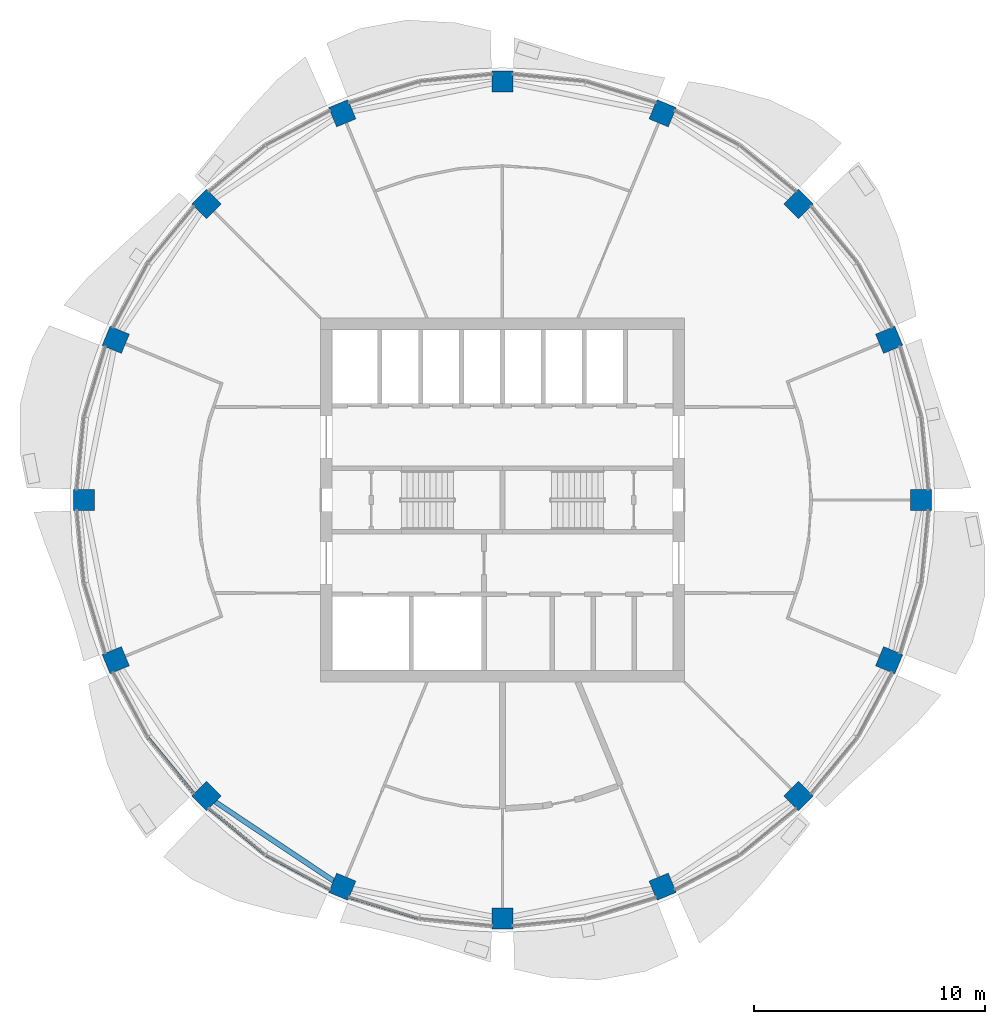
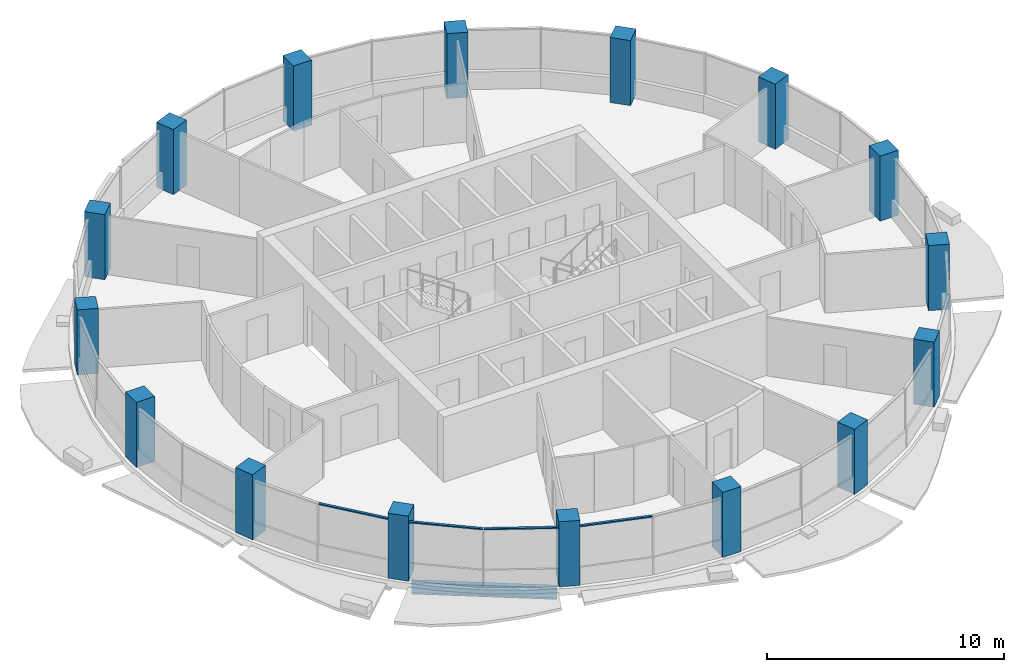
# One storey, part 1 of 15: 16 columns, 4 members, 1 beam, 3 elements without a shape of their own.
"""IFC4 building model written with IfcOpenShell, lengths in metres."""

from ifc_helpers import new_model, si_unit, direction, frame, origin, origin_2d, place, context, subcontext, project, spatial, rectangle, i_section, extrude, material, material_profile, profile_set, type_object, element, aggregate, save


model = new_model("IFC4")

# Units and contexts
model_context = context("Model", 3, precision=1e-05, world=origin(), true_north=direction((0.0, 1.0)))
body_context = subcontext(model_context, "Body", "Model", "MODEL_VIEW")
ifc_project = project(units=[si_unit("LENGTHUNIT", "METRE"), si_unit("AREAUNIT", "SQUARE_METRE"), si_unit("VOLUMEUNIT", "CUBIC_METRE"), si_unit("PLANEANGLEUNIT", "RADIAN"), si_unit("MASSUNIT", "GRAM", prefix="KILO")], contexts=[model_context])

# Site, building, storey
site_placement = place(None, origin())
site = spatial("IfcSite", under=ifc_project, at=site_placement, CompositionType="ELEMENT")
building_placement = place(site_placement, origin())
building = spatial("IfcBuilding", under=site, at=building_placement, Name="Polderwave Tower", CompositionType="ELEMENT")
storey_placement = place(building_placement, frame((0.0, 0.0, 174.25)))
storey = spatial("IfcBuildingStorey", under=building, at=storey_placement, Name="L46", CompositionType="ELEMENT", Elevation=174.25)

# Columns
ifc_material_1 = material(Name="Concrete C60/75", Category="concrete")
ifc_material_profile_1 = material_profile(ifc_material_1, rectangle(XDim=0.89990234375, YDim=0.89990234375, at=origin_2d()), Name="RC 900x900")
ifc_profile_set_1 = profile_set([ifc_material_profile_1], Name="Concrete C60/75")
column_type = type_object("IfcColumnType", Name="RC COLUMN 900x900 C60/75", PredefinedType="COLUMN", material=ifc_profile_set_1)
for number, where, z_axis, x_axis, name in (
    (1, (18.10009765625, 0.0, 0.0), (0.0, 0.0, 1.0), (1.0, 0.0, 0.0), "Ring column 01"),
    (2, (16.72216796875, 6.926513671875, 0.0), (0.0, 0.0, 1.0), (0.923879532511, 0.382683432365, 0.0), "Ring column 02"),
    (3, (12.798583984375, 12.798583984375, 0.0), (0.0, 0.0, 1.0), (0.707106781187, 0.707106781187, 0.0), "Ring column 03"),
    (4, (6.926513671875, 16.72216796875, 0.0), (0.0, 0.0, 1.0), (0.382683432365, 0.923879532511, 0.0), "Ring column 04"),
    (5, (0.0, 18.10009765625, 0.0), (0.0, 0.0, 1.0), (0.0, 1.0, 0.0), "Ring column 05"),
    (6, (-6.926513671875, 16.72216796875, 0.0), (0.0, 0.0, 1.0), (-0.382683432365, 0.923879532511, 0.0), "Ring column 06"),
    (7, (-12.798583984375, 12.798583984375, 0.0), (0.0, 0.0, 1.0), (-0.707106781187, 0.707106781187, 0.0), "Ring column 07"),
    (8, (-16.72216796875, 6.926513671875, 0.0), (0.0, 0.0, 1.0), (-0.923879532511, 0.382683432365, 0.0), "Ring column 08"),
    (9, (-18.10009765625, 0.0, 0.0), (0.0, 0.0, 1.0), (-1.0, 0.0, 0.0), "Ring column 09"),
    (10, (-16.72216796875, -6.926513671875, 0.0), (0.0, 0.0, 1.0), (-0.923879532511, -0.382683432365, 0.0), "Ring column 10"),
    (11, (-12.798583984375, -12.798583984375, 0.0), (0.0, 0.0, 1.0), (-0.707106781187, -0.707106781187, 0.0), "Ring column 11"),
    (12, (-6.926513671875, -16.72216796875, 0.0), (0.0, 0.0, 1.0), (-0.382683432365, -0.923879532511, 0.0), "Ring column 12"),
    (13, (0.0, -18.10009765625, 0.0), (0.0, 0.0, 1.0), (0.0, -1.0, 0.0), "Ring column 13"),
    (14, (6.926513671875, -16.72216796875, 0.0), (0.0, 0.0, 1.0), (0.382683432365, -0.923879532511, 0.0), "Ring column 14"),
    (15, (12.798583984375, -12.798583984375, 0.0), (0.0, 0.0, 1.0), (0.707106781187, -0.707106781187, 0.0), "Ring column 15"),
    (16, (16.72216796875, -6.926513671875, 0.0), (0.0, 0.0, 1.0), (0.923879532511, -0.382683432365, 0.0), "Ring column 16"),
):
    element("IfcColumn", number, at=place(storey_placement, frame(where, z_axis=z_axis, x_axis=x_axis)), inside=storey, type_object=column_type, Name=name, PredefinedType="COLUMN", context=body_context, shape_type="SweptSolid", body=[
        extrude(rectangle(XDim=0.89990234375, YDim=0.89990234375, at=origin_2d()), origin(), (0.0, 0.0, 1.0), 3.35009765625),
    ])

# Curtain wall, member
ifc_material_2 = material(Name="Aluminium 6063-T6 and glass", Category="aluminium")
curtain_wall_type = type_object("IfcCurtainWallType", Name="Office ribbon glazing wall", PredefinedType="NOTDEFINED", material=ifc_material_2)
curtain_wall_1_placement = place(storey_placement, origin())
curtain_wall_1 = element("IfcCurtainWall", 17, at=curtain_wall_1_placement, inside=storey, type_object=curtain_wall_type, Name="CW3 L46 09", PredefinedType="NOTDEFINED")
ifc_material_3 = material(Name="Aluminium 6063-T6", Category="aluminium")
ifc_material_profile_2 = material_profile(ifc_material_3, rectangle(XDim=0.1201171875, YDim=0.06005859375, at=origin_2d()), Name="AL 60x120")
ifc_profile_set_2 = profile_set([ifc_material_profile_2], Name="Aluminium 6063-T6")
member_type = type_object("IfcMemberType", Name="Office ribbon glazing transom 60x120", PredefinedType="USERDEFINED", material=ifc_profile_set_2)
member_1_placement = place(storey_placement, frame((-15.323486328125, -10.271240234375, 2.969970703125), z_axis=(0.634334495686, -0.773058696079, 0.0), x_axis=(0.773058696079, 0.634334495686, 0.0)))
member_1 = element("IfcMember", 18, at=member_1_placement, type_object=member_type, Name="CW3 transom 2", ObjectType="TRANSOM", PredefinedType="USERDEFINED", context=body_context, shape_type="SweptSolid", body=[
    extrude(rectangle(XDim=0.1201171875, YDim=0.06005859375, at=origin_2d()), origin(), (0.0, 0.0, 1.0), 3.137939453125),
])
aggregate(curtain_wall_1, [member_1])

# Curtain wall, members
curtain_wall_2_placement = place(storey_placement, origin())
curtain_wall_2 = element("IfcCurtainWall", 19, at=curtain_wall_2_placement, inside=storey, type_object=curtain_wall_type, Name="CW3 L46 10", PredefinedType="NOTDEFINED")
member_2_placement = place(storey_placement, frame((-12.697021484375, -13.3330078125, 2.969970703125), z_axis=(0.773058696079, -0.634334495686, 0.0), x_axis=(0.634334495686, 0.773058696079, 0.0)))
member_2 = element("IfcMember", 20, at=member_2_placement, type_object=member_type, Name="CW3 transom 1", ObjectType="TRANSOM", PredefinedType="USERDEFINED", context=body_context, shape_type="SweptSolid", body=[
    extrude(rectangle(XDim=0.1201171875, YDim=0.06005859375, at=origin_2d()), origin(), (0.0, 0.0, 1.0), 3.137939453125),
])
member_3_placement = place(storey_placement, frame((-10.2255859375, -15.35400390625, 2.969970703125), z_axis=(0.882020915121, -0.471210255925, 0.0), x_axis=(0.471210255925, 0.882020915121, 0.0)))
member_3 = element("IfcMember", 21, at=member_3_placement, type_object=member_type, Name="CW3 transom 2", ObjectType="TRANSOM", PredefinedType="USERDEFINED", context=body_context, shape_type="SweptSolid", body=[
    extrude(rectangle(XDim=0.1201171875, YDim=0.06005859375, at=origin_2d()), origin(), (0.0, 0.0, 1.0), 3.13671875),
])
aggregate(curtain_wall_2, [member_2, member_3])

# Curtain wall, member
curtain_wall_3_placement = place(storey_placement, origin())
curtain_wall_3 = element("IfcCurtainWall", 22, at=curtain_wall_3_placement, inside=storey, type_object=curtain_wall_type, Name="CW3 L46 11", PredefinedType="NOTDEFINED")
member_4_placement = place(storey_placement, frame((-6.6279296875, -17.177001953125, 2.969970703125), z_axis=(0.957023749989, -0.29000955494, 0.0), x_axis=(0.29000955494, 0.957023749989, 0.0)))
member_4 = element("IfcMember", 23, at=member_4_placement, type_object=member_type, Name="CW3 transom 1", ObjectType="TRANSOM", PredefinedType="USERDEFINED", context=body_context, shape_type="SweptSolid", body=[
    extrude(rectangle(XDim=0.1201171875, YDim=0.06005859375, at=origin_2d()), origin(), (0.0, 0.0, 1.0), 3.137451171875),
])
aggregate(curtain_wall_3, [member_4])

# Beam
ifc_material_4 = material(Name="Steel S355", Category="steel")
ifc_material_profile_3 = material_profile(ifc_material_4, i_section(OverallWidth=0.219970703125, OverallDepth=0.60009765625, WebThickness=0.011962890625, FlangeThickness=0.01904296875, at=origin_2d()), Name="IPE 600")
ifc_profile_set_3 = profile_set([ifc_material_profile_3], Name="Steel S355")
beam_type = type_object("IfcBeamType", Name="RING BEAM IPE 600", PredefinedType="BEAM", material=ifc_profile_set_3)
beam_placement = place(storey_placement, frame((-12.417236328125, -13.053466796875, -0.64990234375), z_axis=(0.831469141634, -0.555570937424, 0.0), x_axis=(0.555570937424, 0.831469141634, 0.0)))
element("IfcBeam", 24, at=beam_placement, inside=storey, type_object=beam_type, Name="ST-RB-L46-10", PredefinedType="BEAM", context=body_context, shape_type="SweptSolid", body=[
    extrude(i_section(OverallWidth=0.219970703125, OverallDepth=0.60009765625, WebThickness=0.011962890625, FlangeThickness=0.01904296875, at=origin_2d()), origin(), (0.0, 0.0, 1.0), 6.144775390625),
])

save(model, "model.ifc")
